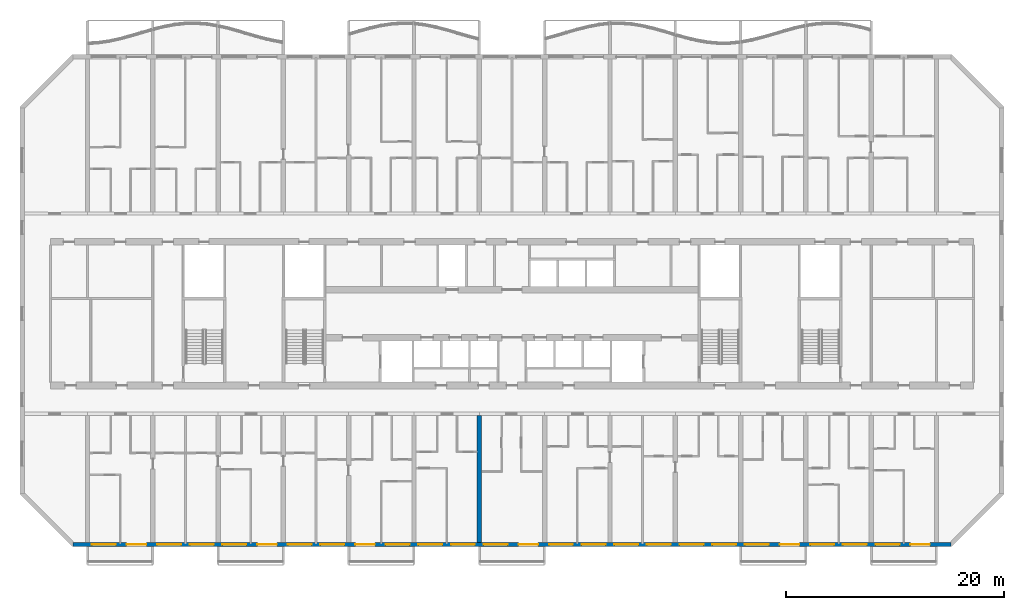
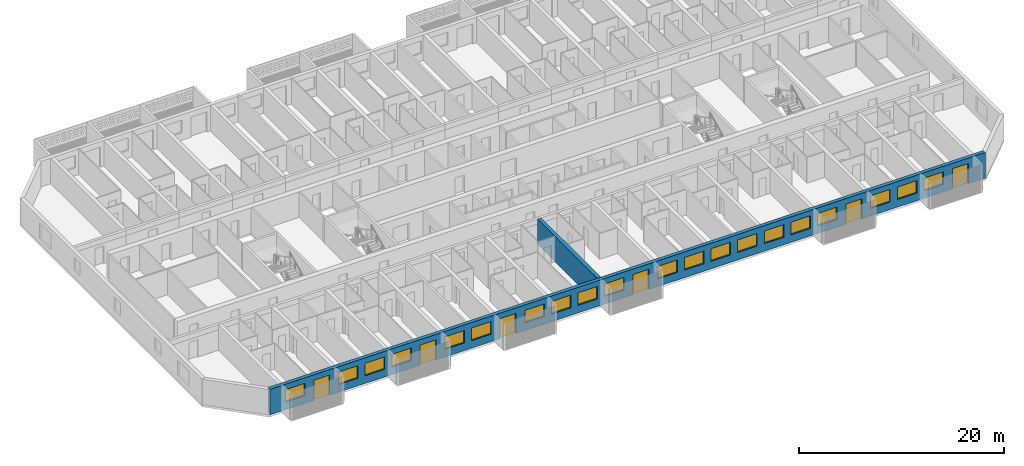
# One storey, part 4 of 39: 20 windows, 6 doors, 2 walls, 26 openings.
"""IFC4 building model written with IfcOpenShell, lengths in metres."""

from ifc_helpers import new_model, si_unit, direction, frame, frame_2d, origin, place, context, subcontext, project, spatial, rectangle, extrude, material, layer, layer_set, type_object, element, fill, save


model = new_model("IFC4")

# Units and contexts
model_context = context("Model", 3, precision=1e-05, world=origin(), true_north=direction((0.0, 1.0)))
body_context = subcontext(model_context, "Body", "Model", "MODEL_VIEW")
ifc_project = project(units=[si_unit("LENGTHUNIT", "METRE"), si_unit("AREAUNIT", "SQUARE_METRE"), si_unit("VOLUMEUNIT", "CUBIC_METRE"), si_unit("PLANEANGLEUNIT", "RADIAN"), si_unit("MASSUNIT", "GRAM", prefix="KILO")], contexts=[model_context])

# Site, building, storey
site_placement = place(None, origin())
site = spatial("IfcSite", under=ifc_project, at=site_placement, CompositionType="ELEMENT")
building_placement = place(site_placement, origin())
building = spatial("IfcBuilding", under=site, at=building_placement, Name="Poui Terraces", CompositionType="ELEMENT")
storey_placement = place(building_placement, frame((0.0, 0.0, 59.699951171875)))
storey = spatial("IfcBuildingStorey", under=building, at=storey_placement, Name="L16", CompositionType="ELEMENT", Elevation=59.699951171875)

# Wall
ifc_material_1 = material(Name="Concrete 80 MPa", Category="concrete")
ifc_layer_1 = layer(ifc_material_1, 0.39990234375)
ifc_layer_set_1 = layer_set([ifc_layer_1], Name="Concrete 80 MPa")
wall_type_1 = type_object("IfcWallType", Name="CROSS WALL 400 80MPa", PredefinedType="SHEAR", material=ifc_layer_set_1)
wall_1_placement = place(storey_placement, frame((48.0, 0.199951171875, 0.0), z_axis=(0.0, 0.0, 1.0), x_axis=(0.0, 1.0, 0.0)))
element("IfcWall", 1, at=wall_1_placement, inside=storey, type_object=wall_type_1, Name="CROSS WALL LINE 9 SOUTH", PredefinedType="SHEAR", context=body_context, shape_type="SweptSolid", body=[
    extrude(rectangle(XDim=11.650146484375, YDim=0.39990234375, at=frame_2d((5.8251953125, 0.0))), origin(), (0.0, 0.0, 1.0), 3.050048828125),
])

# Wall, openings, doors, windows
ifc_material_2 = material(Name="Precast concrete 40 MPa", Category="concrete")
ifc_layer_2 = layer(ifc_material_2, 0.39990234375)
ifc_layer_set_2 = layer_set([ifc_layer_2], Name="Precast concrete 40 MPa")
wall_type_2 = type_object("IfcWallType", Name="EXTERNAL WALL 400", PredefinedType="STANDARD", material=ifc_layer_set_2)
wall_2_placement = place(storey_placement, frame((10.682861328125, 0.0, 0.0), z_axis=(0.0, 0.0, 1.0), x_axis=(1.0, 0.0, 0.0)))
wall_2 = element("IfcWall", 2, at=wall_2_placement, inside=storey, type_object=wall_type_2, Name="EXTERNAL WALL S", PredefinedType="STANDARD", context=body_context, shape_type="SweptSolid", body=[
    extrude(rectangle(XDim=80.63427734375, YDim=0.39990234375, at=frame_2d((40.317138671875, 0.0))), origin(), (0.0, 0.0, 1.0), 3.050048828125),
])
opening_1_placement = place(wall_2_placement, frame((1.71728515625, 0.0, 0.89990234375)))
opening_1 = element("IfcOpeningElement", 3, at=opening_1_placement, cuts=wall_2, Name="Opening W1", PredefinedType="OPENING", context=body_context, shape_type="SweptSolid", body=[
    extrude(rectangle(XDim=2.199951171875, YDim=1.5, at=frame_2d((1.10009765625, 0.75))), frame((0.0, 0.2099609375, 0.0), z_axis=(0.0, -1.0, 0.0), x_axis=(1.0, 0.0, 0.0)), (0.0, 0.0, 1.0), 0.419921875),
])
opening_2_placement = place(wall_2_placement, frame((4.917236328125, 0.0, 0.0)))
opening_2 = element("IfcOpeningElement", 4, at=opening_2_placement, cuts=wall_2, Name="Opening BD1", PredefinedType="OPENING", context=body_context, shape_type="SweptSolid", body=[
    extrude(rectangle(XDim=1.800048828125, YDim=2.39990234375, at=frame_2d((0.89990234375, 1.199951171875))), frame((0.0, 0.2099609375, 0.0), z_axis=(0.0, -1.0, 0.0), x_axis=(1.0, 0.0, 0.0)), (0.0, 0.0, 1.0), 0.419921875),
])
opening_3_placement = place(wall_2_placement, frame((7.71728515625, 0.0, 0.89990234375)))
opening_3 = element("IfcOpeningElement", 5, at=opening_3_placement, cuts=wall_2, Name="Opening W1", PredefinedType="OPENING", context=body_context, shape_type="SweptSolid", body=[
    extrude(rectangle(XDim=2.199951171875, YDim=1.5, at=frame_2d((1.10009765625, 0.75))), frame((0.0, 0.2099609375, 0.0), z_axis=(0.0, -1.0, 0.0), x_axis=(1.0, 0.0, 0.0)), (0.0, 0.0, 1.0), 0.419921875),
])
opening_4_placement = place(wall_2_placement, frame((10.71728515625, 0.0, 0.89990234375)))
opening_4 = element("IfcOpeningElement", 6, at=opening_4_placement, cuts=wall_2, Name="Opening W1", PredefinedType="OPENING", context=body_context, shape_type="SweptSolid", body=[
    extrude(rectangle(XDim=2.199951171875, YDim=1.5, at=frame_2d((1.10009765625, 0.75))), frame((0.0, 0.2099609375, 0.0), z_axis=(0.0, -1.0, 0.0), x_axis=(1.0, 0.0, 0.0)), (0.0, 0.0, 1.0), 0.419921875),
])
opening_5_placement = place(wall_2_placement, frame((13.71728515625, 0.0, 0.89990234375)))
opening_5 = element("IfcOpeningElement", 7, at=opening_5_placement, cuts=wall_2, Name="Opening W1", PredefinedType="OPENING", context=body_context, shape_type="SweptSolid", body=[
    extrude(rectangle(XDim=2.199951171875, YDim=1.5, at=frame_2d((1.10009765625, 0.75))), frame((0.0, 0.2099609375, 0.0), z_axis=(0.0, -1.0, 0.0), x_axis=(1.0, 0.0, 0.0)), (0.0, 0.0, 1.0), 0.419921875),
])
opening_6_placement = place(wall_2_placement, frame((16.917236328125, 0.0, 0.0)))
opening_6 = element("IfcOpeningElement", 8, at=opening_6_placement, cuts=wall_2, Name="Opening BD1", PredefinedType="OPENING", context=body_context, shape_type="SweptSolid", body=[
    extrude(rectangle(XDim=1.800048828125, YDim=2.39990234375, at=frame_2d((0.89990234375, 1.199951171875))), frame((0.0, 0.2099609375, 0.0), z_axis=(0.0, -1.0, 0.0), x_axis=(1.0, 0.0, 0.0)), (0.0, 0.0, 1.0), 0.419921875),
])
opening_7_placement = place(wall_2_placement, frame((19.71728515625, 0.0, 0.89990234375)))
opening_7 = element("IfcOpeningElement", 9, at=opening_7_placement, cuts=wall_2, Name="Opening W1", PredefinedType="OPENING", context=body_context, shape_type="SweptSolid", body=[
    extrude(rectangle(XDim=2.199951171875, YDim=1.5, at=frame_2d((1.10009765625, 0.75))), frame((0.0, 0.2099609375, 0.0), z_axis=(0.0, -1.0, 0.0), x_axis=(1.0, 0.0, 0.0)), (0.0, 0.0, 1.0), 0.419921875),
])
opening_8_placement = place(wall_2_placement, frame((22.71728515625, 0.0, 0.89990234375)))
opening_8 = element("IfcOpeningElement", 10, at=opening_8_placement, cuts=wall_2, Name="Opening W1", PredefinedType="OPENING", context=body_context, shape_type="SweptSolid", body=[
    extrude(rectangle(XDim=2.199951171875, YDim=1.5, at=frame_2d((1.10009765625, 0.75))), frame((0.0, 0.2099609375, 0.0), z_axis=(0.0, -1.0, 0.0), x_axis=(1.0, 0.0, 0.0)), (0.0, 0.0, 1.0), 0.419921875),
])
opening_9_placement = place(wall_2_placement, frame((25.917236328125, 0.0, 0.0)))
opening_9 = element("IfcOpeningElement", 11, at=opening_9_placement, cuts=wall_2, Name="Opening BD1", PredefinedType="OPENING", context=body_context, shape_type="SweptSolid", body=[
    extrude(rectangle(XDim=1.800048828125, YDim=2.39990234375, at=frame_2d((0.89990234375, 1.199951171875))), frame((0.0, 0.2099609375, 0.0), z_axis=(0.0, -1.0, 0.0), x_axis=(1.0, 0.0, 0.0)), (0.0, 0.0, 1.0), 0.419921875),
])
opening_10_placement = place(wall_2_placement, frame((28.71728515625, 0.0, 0.89990234375)))
opening_10 = element("IfcOpeningElement", 12, at=opening_10_placement, cuts=wall_2, Name="Opening W1", PredefinedType="OPENING", context=body_context, shape_type="SweptSolid", body=[
    extrude(rectangle(XDim=2.199951171875, YDim=1.5, at=frame_2d((1.10009765625, 0.75))), frame((0.0, 0.2099609375, 0.0), z_axis=(0.0, -1.0, 0.0), x_axis=(1.0, 0.0, 0.0)), (0.0, 0.0, 1.0), 0.419921875),
])
opening_11_placement = place(wall_2_placement, frame((31.71728515625, 0.0, 0.89990234375)))
opening_11 = element("IfcOpeningElement", 13, at=opening_11_placement, cuts=wall_2, Name="Opening W1", PredefinedType="OPENING", context=body_context, shape_type="SweptSolid", body=[
    extrude(rectangle(XDim=2.199951171875, YDim=1.5, at=frame_2d((1.10009765625, 0.75))), frame((0.0, 0.2099609375, 0.0), z_axis=(0.0, -1.0, 0.0), x_axis=(1.0, 0.0, 0.0)), (0.0, 0.0, 1.0), 0.419921875),
])
opening_12_placement = place(wall_2_placement, frame((34.71728515625, 0.0, 0.89990234375)))
opening_12 = element("IfcOpeningElement", 14, at=opening_12_placement, cuts=wall_2, Name="Opening W1", PredefinedType="OPENING", context=body_context, shape_type="SweptSolid", body=[
    extrude(rectangle(XDim=2.199951171875, YDim=1.5, at=frame_2d((1.10009765625, 0.75))), frame((0.0, 0.2099609375, 0.0), z_axis=(0.0, -1.0, 0.0), x_axis=(1.0, 0.0, 0.0)), (0.0, 0.0, 1.0), 0.419921875),
])
opening_13_placement = place(wall_2_placement, frame((37.71728515625, 0.0, 0.89990234375)))
opening_13 = element("IfcOpeningElement", 15, at=opening_13_placement, cuts=wall_2, Name="Opening W1", PredefinedType="OPENING", context=body_context, shape_type="SweptSolid", body=[
    extrude(rectangle(XDim=2.199951171875, YDim=1.5, at=frame_2d((1.10009765625, 0.75))), frame((0.0, 0.2099609375, 0.0), z_axis=(0.0, -1.0, 0.0), x_axis=(1.0, 0.0, 0.0)), (0.0, 0.0, 1.0), 0.419921875),
])
opening_14_placement = place(wall_2_placement, frame((40.917236328125, 0.0, 0.0)))
opening_14 = element("IfcOpeningElement", 16, at=opening_14_placement, cuts=wall_2, Name="Opening BD1", PredefinedType="OPENING", context=body_context, shape_type="SweptSolid", body=[
    extrude(rectangle(XDim=1.800048828125, YDim=2.39990234375, at=frame_2d((0.89990234375, 1.199951171875))), frame((0.0, 0.2099609375, 0.0), z_axis=(0.0, -1.0, 0.0), x_axis=(1.0, 0.0, 0.0)), (0.0, 0.0, 1.0), 0.419921875),
])
opening_15_placement = place(wall_2_placement, frame((43.71728515625, 0.0, 0.89990234375)))
opening_15 = element("IfcOpeningElement", 17, at=opening_15_placement, cuts=wall_2, Name="Opening W1", PredefinedType="OPENING", context=body_context, shape_type="SweptSolid", body=[
    extrude(rectangle(XDim=2.199951171875, YDim=1.5, at=frame_2d((1.10009765625, 0.75))), frame((0.0, 0.2099609375, 0.0), z_axis=(0.0, -1.0, 0.0), x_axis=(1.0, 0.0, 0.0)), (0.0, 0.0, 1.0), 0.419921875),
])
opening_16_placement = place(wall_2_placement, frame((46.71728515625, 0.0, 0.89990234375)))
opening_16 = element("IfcOpeningElement", 18, at=opening_16_placement, cuts=wall_2, Name="Opening W1", PredefinedType="OPENING", context=body_context, shape_type="SweptSolid", body=[
    extrude(rectangle(XDim=2.199951171875, YDim=1.5, at=frame_2d((1.10009765625, 0.75))), frame((0.0, 0.2099609375, 0.0), z_axis=(0.0, -1.0, 0.0), x_axis=(1.0, 0.0, 0.0)), (0.0, 0.0, 1.0), 0.419921875),
])
opening_17_placement = place(wall_2_placement, frame((49.71728515625, 0.0, 0.89990234375)))
opening_17 = element("IfcOpeningElement", 19, at=opening_17_placement, cuts=wall_2, Name="Opening W1", PredefinedType="OPENING", context=body_context, shape_type="SweptSolid", body=[
    extrude(rectangle(XDim=2.199951171875, YDim=1.5, at=frame_2d((1.10009765625, 0.75))), frame((0.0, 0.2099609375, 0.0), z_axis=(0.0, -1.0, 0.0), x_axis=(1.0, 0.0, 0.0)), (0.0, 0.0, 1.0), 0.419921875),
])
opening_18_placement = place(wall_2_placement, frame((52.71728515625, 0.0, 0.89990234375)))
opening_18 = element("IfcOpeningElement", 20, at=opening_18_placement, cuts=wall_2, Name="Opening W1", PredefinedType="OPENING", context=body_context, shape_type="SweptSolid", body=[
    extrude(rectangle(XDim=2.199951171875, YDim=1.5, at=frame_2d((1.10009765625, 0.75))), frame((0.0, 0.2099609375, 0.0), z_axis=(0.0, -1.0, 0.0), x_axis=(1.0, 0.0, 0.0)), (0.0, 0.0, 1.0), 0.419921875),
])
opening_19_placement = place(wall_2_placement, frame((55.71728515625, 0.0, 0.89990234375)))
opening_19 = element("IfcOpeningElement", 21, at=opening_19_placement, cuts=wall_2, Name="Opening W1", PredefinedType="OPENING", context=body_context, shape_type="SweptSolid", body=[
    extrude(rectangle(XDim=2.199951171875, YDim=1.5, at=frame_2d((1.10009765625, 0.75))), frame((0.0, 0.2099609375, 0.0), z_axis=(0.0, -1.0, 0.0), x_axis=(1.0, 0.0, 0.0)), (0.0, 0.0, 1.0), 0.419921875),
])
opening_20_placement = place(wall_2_placement, frame((58.71728515625, 0.0, 0.89990234375)))
opening_20 = element("IfcOpeningElement", 22, at=opening_20_placement, cuts=wall_2, Name="Opening W1", PredefinedType="OPENING", context=body_context, shape_type="SweptSolid", body=[
    extrude(rectangle(XDim=2.199951171875, YDim=1.5, at=frame_2d((1.10009765625, 0.75))), frame((0.0, 0.2099609375, 0.0), z_axis=(0.0, -1.0, 0.0), x_axis=(1.0, 0.0, 0.0)), (0.0, 0.0, 1.0), 0.419921875),
])
opening_21_placement = place(wall_2_placement, frame((61.71728515625, 0.0, 0.89990234375)))
opening_21 = element("IfcOpeningElement", 23, at=opening_21_placement, cuts=wall_2, Name="Opening W1", PredefinedType="OPENING", context=body_context, shape_type="SweptSolid", body=[
    extrude(rectangle(XDim=2.199951171875, YDim=1.5, at=frame_2d((1.10009765625, 0.75))), frame((0.0, 0.2099609375, 0.0), z_axis=(0.0, -1.0, 0.0), x_axis=(1.0, 0.0, 0.0)), (0.0, 0.0, 1.0), 0.419921875),
])
opening_22_placement = place(wall_2_placement, frame((64.917236328125, 0.0, 0.0)))
opening_22 = element("IfcOpeningElement", 24, at=opening_22_placement, cuts=wall_2, Name="Opening BD1", PredefinedType="OPENING", context=body_context, shape_type="SweptSolid", body=[
    extrude(rectangle(XDim=1.800048828125, YDim=2.39990234375, at=frame_2d((0.89990234375, 1.199951171875))), frame((0.0, 0.2099609375, 0.0), z_axis=(0.0, -1.0, 0.0), x_axis=(1.0, 0.0, 0.0)), (0.0, 0.0, 1.0), 0.419921875),
])
opening_23_placement = place(wall_2_placement, frame((67.71728515625, 0.0, 0.89990234375)))
opening_23 = element("IfcOpeningElement", 25, at=opening_23_placement, cuts=wall_2, Name="Opening W1", PredefinedType="OPENING", context=body_context, shape_type="SweptSolid", body=[
    extrude(rectangle(XDim=2.199951171875, YDim=1.5, at=frame_2d((1.10009765625, 0.75))), frame((0.0, 0.2099609375, 0.0), z_axis=(0.0, -1.0, 0.0), x_axis=(1.0, 0.0, 0.0)), (0.0, 0.0, 1.0), 0.419921875),
])
opening_24_placement = place(wall_2_placement, frame((70.71728515625, 0.0, 0.89990234375)))
opening_24 = element("IfcOpeningElement", 26, at=opening_24_placement, cuts=wall_2, Name="Opening W1", PredefinedType="OPENING", context=body_context, shape_type="SweptSolid", body=[
    extrude(rectangle(XDim=2.199951171875, YDim=1.5, at=frame_2d((1.10009765625, 0.75))), frame((0.0, 0.2099609375, 0.0), z_axis=(0.0, -1.0, 0.0), x_axis=(1.0, 0.0, 0.0)), (0.0, 0.0, 1.0), 0.419921875),
])
opening_25_placement = place(wall_2_placement, frame((73.71728515625, 0.0, 0.89990234375)))
opening_25 = element("IfcOpeningElement", 27, at=opening_25_placement, cuts=wall_2, Name="Opening W1", PredefinedType="OPENING", context=body_context, shape_type="SweptSolid", body=[
    extrude(rectangle(XDim=2.199951171875, YDim=1.5, at=frame_2d((1.10009765625, 0.75))), frame((0.0, 0.2099609375, 0.0), z_axis=(0.0, -1.0, 0.0), x_axis=(1.0, 0.0, 0.0)), (0.0, 0.0, 1.0), 0.419921875),
])
opening_26_placement = place(wall_2_placement, frame((76.917236328125, 0.0, 0.0)))
opening_26 = element("IfcOpeningElement", 28, at=opening_26_placement, cuts=wall_2, Name="Opening BD1", PredefinedType="OPENING", context=body_context, shape_type="SweptSolid", body=[
    extrude(rectangle(XDim=1.800048828125, YDim=2.39990234375, at=frame_2d((0.89990234375, 1.199951171875))), frame((0.0, 0.2099609375, 0.0), z_axis=(0.0, -1.0, 0.0), x_axis=(1.0, 0.0, 0.0)), (0.0, 0.0, 1.0), 0.419921875),
])
ifc_material_3 = material(Name="Clear glass in aluminium frame", Category="aluminium")
door_type = type_object("IfcDoorType", Name="BALCONY DOOR 1800X2400", OperationType="DOUBLE_DOOR_SLIDING", PredefinedType="DOOR", material=ifc_material_3)
door_1_placement = place(opening_2_placement, origin())
door_1 = element("IfcDoor", 29, at=door_1_placement, inside=storey, type_object=door_type, Name="BD1 BALCONY DOOR", OperationType="DOUBLE_DOOR_SLIDING", OverallHeight=2.39990234375, OverallWidth=1.800048828125, PredefinedType="DOOR", context=body_context, shape_type="SweptSolid", body=[
    extrude(rectangle(XDim=1.800048828125, YDim=2.39990234375, at=frame_2d((0.89990234375, 1.199951171875))), frame((0.0, 0.02490234375, 0.0), z_axis=(0.0, -1.0, 0.0), x_axis=(1.0, 0.0, 0.0)), (0.0, 0.0, 1.0), 0.050048828125),
])
fill(opening_2, door_1)
door_2_placement = place(opening_6_placement, origin())
door_2 = element("IfcDoor", 30, at=door_2_placement, inside=storey, type_object=door_type, Name="BD1 BALCONY DOOR", OperationType="DOUBLE_DOOR_SLIDING", OverallHeight=2.39990234375, OverallWidth=1.800048828125, PredefinedType="DOOR", context=body_context, shape_type="SweptSolid", body=[
    extrude(rectangle(XDim=1.800048828125, YDim=2.39990234375, at=frame_2d((0.89990234375, 1.199951171875))), frame((0.0, 0.02490234375, 0.0), z_axis=(0.0, -1.0, 0.0), x_axis=(1.0, 0.0, 0.0)), (0.0, 0.0, 1.0), 0.050048828125),
])
fill(opening_6, door_2)
door_3_placement = place(opening_9_placement, origin())
door_3 = element("IfcDoor", 31, at=door_3_placement, inside=storey, type_object=door_type, Name="BD1 BALCONY DOOR", OperationType="DOUBLE_DOOR_SLIDING", OverallHeight=2.39990234375, OverallWidth=1.800048828125, PredefinedType="DOOR", context=body_context, shape_type="SweptSolid", body=[
    extrude(rectangle(XDim=1.800048828125, YDim=2.39990234375, at=frame_2d((0.89990234375, 1.199951171875))), frame((0.0, 0.02490234375, 0.0), z_axis=(0.0, -1.0, 0.0), x_axis=(1.0, 0.0, 0.0)), (0.0, 0.0, 1.0), 0.050048828125),
])
fill(opening_9, door_3)
door_4_placement = place(opening_14_placement, origin())
door_4 = element("IfcDoor", 32, at=door_4_placement, inside=storey, type_object=door_type, Name="BD1 BALCONY DOOR", OperationType="DOUBLE_DOOR_SLIDING", OverallHeight=2.39990234375, OverallWidth=1.800048828125, PredefinedType="DOOR", context=body_context, shape_type="SweptSolid", body=[
    extrude(rectangle(XDim=1.800048828125, YDim=2.39990234375, at=frame_2d((0.89990234375, 1.199951171875))), frame((0.0, 0.02490234375, 0.0), z_axis=(0.0, -1.0, 0.0), x_axis=(1.0, 0.0, 0.0)), (0.0, 0.0, 1.0), 0.050048828125),
])
fill(opening_14, door_4)
door_5_placement = place(opening_22_placement, origin())
door_5 = element("IfcDoor", 33, at=door_5_placement, inside=storey, type_object=door_type, Name="BD1 BALCONY DOOR", OperationType="DOUBLE_DOOR_SLIDING", OverallHeight=2.39990234375, OverallWidth=1.800048828125, PredefinedType="DOOR", context=body_context, shape_type="SweptSolid", body=[
    extrude(rectangle(XDim=1.800048828125, YDim=2.39990234375, at=frame_2d((0.89990234375, 1.199951171875))), frame((0.0, 0.02490234375, 0.0), z_axis=(0.0, -1.0, 0.0), x_axis=(1.0, 0.0, 0.0)), (0.0, 0.0, 1.0), 0.050048828125),
])
fill(opening_22, door_5)
door_6_placement = place(opening_26_placement, origin())
door_6 = element("IfcDoor", 34, at=door_6_placement, inside=storey, type_object=door_type, Name="BD1 BALCONY DOOR", OperationType="DOUBLE_DOOR_SLIDING", OverallHeight=2.39990234375, OverallWidth=1.800048828125, PredefinedType="DOOR", context=body_context, shape_type="SweptSolid", body=[
    extrude(rectangle(XDim=1.800048828125, YDim=2.39990234375, at=frame_2d((0.89990234375, 1.199951171875))), frame((0.0, 0.02490234375, 0.0), z_axis=(0.0, -1.0, 0.0), x_axis=(1.0, 0.0, 0.0)), (0.0, 0.0, 1.0), 0.050048828125),
])
fill(opening_26, door_6)
window_type = type_object("IfcWindowType", Name="WINDOW 2200X1500", PartitioningType="DOUBLE_PANEL_HORIZONTAL", PredefinedType="WINDOW", material=ifc_material_3)
window_1_placement = place(opening_1_placement, origin())
window_1 = element("IfcWindow", 35, at=window_1_placement, inside=storey, type_object=window_type, Name="W1 WINDOW", OverallHeight=1.5, OverallWidth=2.199951171875, PartitioningType="DOUBLE_PANEL_HORIZONTAL", PredefinedType="WINDOW", context=body_context, shape_type="SweptSolid", body=[
    extrude(rectangle(XDim=2.199951171875, YDim=1.5, at=frame_2d((1.10009765625, 0.75))), frame((0.0, 0.030029296875, 0.0), z_axis=(0.0, -1.0, 0.0), x_axis=(1.0, 0.0, 0.0)), (0.0, 0.0, 1.0), 0.06005859375),
])
fill(opening_1, window_1)
window_2_placement = place(opening_3_placement, origin())
window_2 = element("IfcWindow", 36, at=window_2_placement, inside=storey, type_object=window_type, Name="W1 WINDOW", OverallHeight=1.5, OverallWidth=2.199951171875, PartitioningType="DOUBLE_PANEL_HORIZONTAL", PredefinedType="WINDOW", context=body_context, shape_type="SweptSolid", body=[
    extrude(rectangle(XDim=2.199951171875, YDim=1.5, at=frame_2d((1.10009765625, 0.75))), frame((0.0, 0.030029296875, 0.0), z_axis=(0.0, -1.0, 0.0), x_axis=(1.0, 0.0, 0.0)), (0.0, 0.0, 1.0), 0.06005859375),
])
fill(opening_3, window_2)
window_3_placement = place(opening_4_placement, origin())
window_3 = element("IfcWindow", 37, at=window_3_placement, inside=storey, type_object=window_type, Name="W1 WINDOW", OverallHeight=1.5, OverallWidth=2.199951171875, PartitioningType="DOUBLE_PANEL_HORIZONTAL", PredefinedType="WINDOW", context=body_context, shape_type="SweptSolid", body=[
    extrude(rectangle(XDim=2.199951171875, YDim=1.5, at=frame_2d((1.10009765625, 0.75))), frame((0.0, 0.030029296875, 0.0), z_axis=(0.0, -1.0, 0.0), x_axis=(1.0, 0.0, 0.0)), (0.0, 0.0, 1.0), 0.06005859375),
])
fill(opening_4, window_3)
window_4_placement = place(opening_5_placement, origin())
window_4 = element("IfcWindow", 38, at=window_4_placement, inside=storey, type_object=window_type, Name="W1 WINDOW", OverallHeight=1.5, OverallWidth=2.199951171875, PartitioningType="DOUBLE_PANEL_HORIZONTAL", PredefinedType="WINDOW", context=body_context, shape_type="SweptSolid", body=[
    extrude(rectangle(XDim=2.199951171875, YDim=1.5, at=frame_2d((1.10009765625, 0.75))), frame((0.0, 0.030029296875, 0.0), z_axis=(0.0, -1.0, 0.0), x_axis=(1.0, 0.0, 0.0)), (0.0, 0.0, 1.0), 0.06005859375),
])
fill(opening_5, window_4)
window_5_placement = place(opening_7_placement, origin())
window_5 = element("IfcWindow", 39, at=window_5_placement, inside=storey, type_object=window_type, Name="W1 WINDOW", OverallHeight=1.5, OverallWidth=2.199951171875, PartitioningType="DOUBLE_PANEL_HORIZONTAL", PredefinedType="WINDOW", context=body_context, shape_type="SweptSolid", body=[
    extrude(rectangle(XDim=2.199951171875, YDim=1.5, at=frame_2d((1.10009765625, 0.75))), frame((0.0, 0.030029296875, 0.0), z_axis=(0.0, -1.0, 0.0), x_axis=(1.0, 0.0, 0.0)), (0.0, 0.0, 1.0), 0.06005859375),
])
fill(opening_7, window_5)
window_6_placement = place(opening_8_placement, origin())
window_6 = element("IfcWindow", 40, at=window_6_placement, inside=storey, type_object=window_type, Name="W1 WINDOW", OverallHeight=1.5, OverallWidth=2.199951171875, PartitioningType="DOUBLE_PANEL_HORIZONTAL", PredefinedType="WINDOW", context=body_context, shape_type="SweptSolid", body=[
    extrude(rectangle(XDim=2.199951171875, YDim=1.5, at=frame_2d((1.10009765625, 0.75))), frame((0.0, 0.030029296875, 0.0), z_axis=(0.0, -1.0, 0.0), x_axis=(1.0, 0.0, 0.0)), (0.0, 0.0, 1.0), 0.06005859375),
])
fill(opening_8, window_6)
window_7_placement = place(opening_10_placement, origin())
window_7 = element("IfcWindow", 41, at=window_7_placement, inside=storey, type_object=window_type, Name="W1 WINDOW", OverallHeight=1.5, OverallWidth=2.199951171875, PartitioningType="DOUBLE_PANEL_HORIZONTAL", PredefinedType="WINDOW", context=body_context, shape_type="SweptSolid", body=[
    extrude(rectangle(XDim=2.199951171875, YDim=1.5, at=frame_2d((1.10009765625, 0.75))), frame((0.0, 0.030029296875, 0.0), z_axis=(0.0, -1.0, 0.0), x_axis=(1.0, 0.0, 0.0)), (0.0, 0.0, 1.0), 0.06005859375),
])
fill(opening_10, window_7)
window_8_placement = place(opening_11_placement, origin())
window_8 = element("IfcWindow", 42, at=window_8_placement, inside=storey, type_object=window_type, Name="W1 WINDOW", OverallHeight=1.5, OverallWidth=2.199951171875, PartitioningType="DOUBLE_PANEL_HORIZONTAL", PredefinedType="WINDOW", context=body_context, shape_type="SweptSolid", body=[
    extrude(rectangle(XDim=2.199951171875, YDim=1.5, at=frame_2d((1.10009765625, 0.75))), frame((0.0, 0.030029296875, 0.0), z_axis=(0.0, -1.0, 0.0), x_axis=(1.0, 0.0, 0.0)), (0.0, 0.0, 1.0), 0.06005859375),
])
fill(opening_11, window_8)
window_9_placement = place(opening_12_placement, origin())
window_9 = element("IfcWindow", 43, at=window_9_placement, inside=storey, type_object=window_type, Name="W1 WINDOW", OverallHeight=1.5, OverallWidth=2.199951171875, PartitioningType="DOUBLE_PANEL_HORIZONTAL", PredefinedType="WINDOW", context=body_context, shape_type="SweptSolid", body=[
    extrude(rectangle(XDim=2.199951171875, YDim=1.5, at=frame_2d((1.10009765625, 0.75))), frame((0.0, 0.030029296875, 0.0), z_axis=(0.0, -1.0, 0.0), x_axis=(1.0, 0.0, 0.0)), (0.0, 0.0, 1.0), 0.06005859375),
])
fill(opening_12, window_9)
window_10_placement = place(opening_13_placement, origin())
window_10 = element("IfcWindow", 44, at=window_10_placement, inside=storey, type_object=window_type, Name="W1 WINDOW", OverallHeight=1.5, OverallWidth=2.199951171875, PartitioningType="DOUBLE_PANEL_HORIZONTAL", PredefinedType="WINDOW", context=body_context, shape_type="SweptSolid", body=[
    extrude(rectangle(XDim=2.199951171875, YDim=1.5, at=frame_2d((1.10009765625, 0.75))), frame((0.0, 0.030029296875, 0.0), z_axis=(0.0, -1.0, 0.0), x_axis=(1.0, 0.0, 0.0)), (0.0, 0.0, 1.0), 0.06005859375),
])
fill(opening_13, window_10)
window_11_placement = place(opening_15_placement, origin())
window_11 = element("IfcWindow", 45, at=window_11_placement, inside=storey, type_object=window_type, Name="W1 WINDOW", OverallHeight=1.5, OverallWidth=2.199951171875, PartitioningType="DOUBLE_PANEL_HORIZONTAL", PredefinedType="WINDOW", context=body_context, shape_type="SweptSolid", body=[
    extrude(rectangle(XDim=2.199951171875, YDim=1.5, at=frame_2d((1.10009765625, 0.75))), frame((0.0, 0.030029296875, 0.0), z_axis=(0.0, -1.0, 0.0), x_axis=(1.0, 0.0, 0.0)), (0.0, 0.0, 1.0), 0.06005859375),
])
fill(opening_15, window_11)
window_12_placement = place(opening_16_placement, origin())
window_12 = element("IfcWindow", 46, at=window_12_placement, inside=storey, type_object=window_type, Name="W1 WINDOW", OverallHeight=1.5, OverallWidth=2.199951171875, PartitioningType="DOUBLE_PANEL_HORIZONTAL", PredefinedType="WINDOW", context=body_context, shape_type="SweptSolid", body=[
    extrude(rectangle(XDim=2.199951171875, YDim=1.5, at=frame_2d((1.10009765625, 0.75))), frame((0.0, 0.030029296875, 0.0), z_axis=(0.0, -1.0, 0.0), x_axis=(1.0, 0.0, 0.0)), (0.0, 0.0, 1.0), 0.06005859375),
])
fill(opening_16, window_12)
window_13_placement = place(opening_17_placement, origin())
window_13 = element("IfcWindow", 47, at=window_13_placement, inside=storey, type_object=window_type, Name="W1 WINDOW", OverallHeight=1.5, OverallWidth=2.199951171875, PartitioningType="DOUBLE_PANEL_HORIZONTAL", PredefinedType="WINDOW", context=body_context, shape_type="SweptSolid", body=[
    extrude(rectangle(XDim=2.199951171875, YDim=1.5, at=frame_2d((1.10009765625, 0.75))), frame((0.0, 0.030029296875, 0.0), z_axis=(0.0, -1.0, 0.0), x_axis=(1.0, 0.0, 0.0)), (0.0, 0.0, 1.0), 0.06005859375),
])
fill(opening_17, window_13)
window_14_placement = place(opening_18_placement, origin())
window_14 = element("IfcWindow", 48, at=window_14_placement, inside=storey, type_object=window_type, Name="W1 WINDOW", OverallHeight=1.5, OverallWidth=2.199951171875, PartitioningType="DOUBLE_PANEL_HORIZONTAL", PredefinedType="WINDOW", context=body_context, shape_type="SweptSolid", body=[
    extrude(rectangle(XDim=2.199951171875, YDim=1.5, at=frame_2d((1.10009765625, 0.75))), frame((0.0, 0.030029296875, 0.0), z_axis=(0.0, -1.0, 0.0), x_axis=(1.0, 0.0, 0.0)), (0.0, 0.0, 1.0), 0.06005859375),
])
fill(opening_18, window_14)
window_15_placement = place(opening_19_placement, origin())
window_15 = element("IfcWindow", 49, at=window_15_placement, inside=storey, type_object=window_type, Name="W1 WINDOW", OverallHeight=1.5, OverallWidth=2.199951171875, PartitioningType="DOUBLE_PANEL_HORIZONTAL", PredefinedType="WINDOW", context=body_context, shape_type="SweptSolid", body=[
    extrude(rectangle(XDim=2.199951171875, YDim=1.5, at=frame_2d((1.10009765625, 0.75))), frame((0.0, 0.030029296875, 0.0), z_axis=(0.0, -1.0, 0.0), x_axis=(1.0, 0.0, 0.0)), (0.0, 0.0, 1.0), 0.06005859375),
])
fill(opening_19, window_15)
window_16_placement = place(opening_20_placement, origin())
window_16 = element("IfcWindow", 50, at=window_16_placement, inside=storey, type_object=window_type, Name="W1 WINDOW", OverallHeight=1.5, OverallWidth=2.199951171875, PartitioningType="DOUBLE_PANEL_HORIZONTAL", PredefinedType="WINDOW", context=body_context, shape_type="SweptSolid", body=[
    extrude(rectangle(XDim=2.199951171875, YDim=1.5, at=frame_2d((1.10009765625, 0.75))), frame((0.0, 0.030029296875, 0.0), z_axis=(0.0, -1.0, 0.0), x_axis=(1.0, 0.0, 0.0)), (0.0, 0.0, 1.0), 0.06005859375),
])
fill(opening_20, window_16)
window_17_placement = place(opening_21_placement, origin())
window_17 = element("IfcWindow", 51, at=window_17_placement, inside=storey, type_object=window_type, Name="W1 WINDOW", OverallHeight=1.5, OverallWidth=2.199951171875, PartitioningType="DOUBLE_PANEL_HORIZONTAL", PredefinedType="WINDOW", context=body_context, shape_type="SweptSolid", body=[
    extrude(rectangle(XDim=2.199951171875, YDim=1.5, at=frame_2d((1.10009765625, 0.75))), frame((0.0, 0.030029296875, 0.0), z_axis=(0.0, -1.0, 0.0), x_axis=(1.0, 0.0, 0.0)), (0.0, 0.0, 1.0), 0.06005859375),
])
fill(opening_21, window_17)
window_18_placement = place(opening_23_placement, origin())
window_18 = element("IfcWindow", 52, at=window_18_placement, inside=storey, type_object=window_type, Name="W1 WINDOW", OverallHeight=1.5, OverallWidth=2.199951171875, PartitioningType="DOUBLE_PANEL_HORIZONTAL", PredefinedType="WINDOW", context=body_context, shape_type="SweptSolid", body=[
    extrude(rectangle(XDim=2.199951171875, YDim=1.5, at=frame_2d((1.10009765625, 0.75))), frame((0.0, 0.030029296875, 0.0), z_axis=(0.0, -1.0, 0.0), x_axis=(1.0, 0.0, 0.0)), (0.0, 0.0, 1.0), 0.06005859375),
])
fill(opening_23, window_18)
window_19_placement = place(opening_24_placement, origin())
window_19 = element("IfcWindow", 53, at=window_19_placement, inside=storey, type_object=window_type, Name="W1 WINDOW", OverallHeight=1.5, OverallWidth=2.199951171875, PartitioningType="DOUBLE_PANEL_HORIZONTAL", PredefinedType="WINDOW", context=body_context, shape_type="SweptSolid", body=[
    extrude(rectangle(XDim=2.199951171875, YDim=1.5, at=frame_2d((1.10009765625, 0.75))), frame((0.0, 0.030029296875, 0.0), z_axis=(0.0, -1.0, 0.0), x_axis=(1.0, 0.0, 0.0)), (0.0, 0.0, 1.0), 0.06005859375),
])
fill(opening_24, window_19)
window_20_placement = place(opening_25_placement, origin())
window_20 = element("IfcWindow", 54, at=window_20_placement, inside=storey, type_object=window_type, Name="W1 WINDOW", OverallHeight=1.5, OverallWidth=2.199951171875, PartitioningType="DOUBLE_PANEL_HORIZONTAL", PredefinedType="WINDOW", context=body_context, shape_type="SweptSolid", body=[
    extrude(rectangle(XDim=2.199951171875, YDim=1.5, at=frame_2d((1.10009765625, 0.75))), frame((0.0, 0.030029296875, 0.0), z_axis=(0.0, -1.0, 0.0), x_axis=(1.0, 0.0, 0.0)), (0.0, 0.0, 1.0), 0.06005859375),
])
fill(opening_25, window_20)

save(model, "model.ifc")
